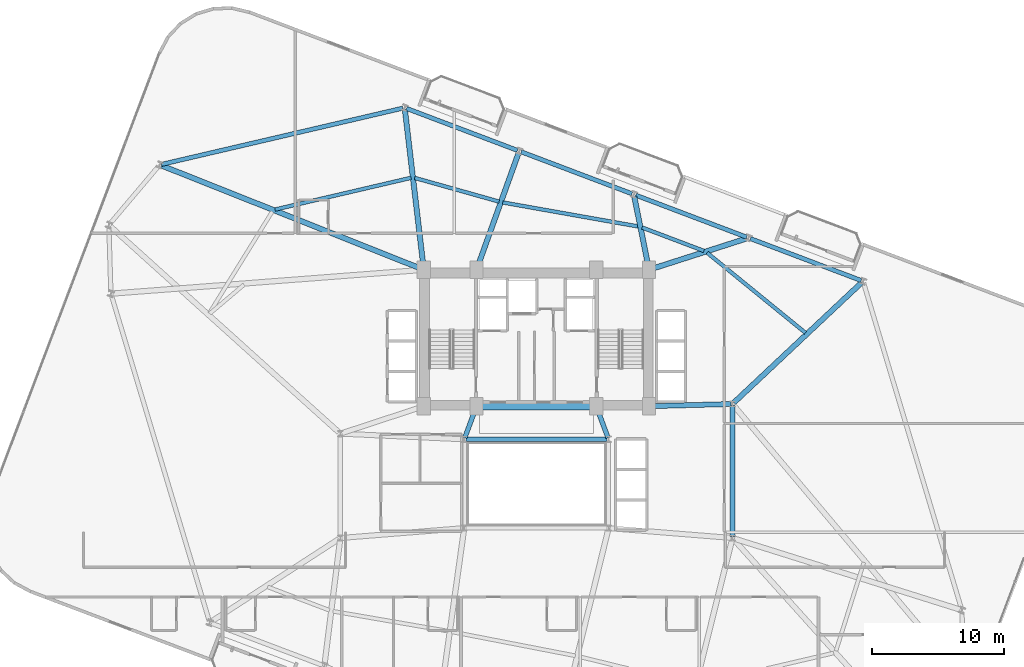
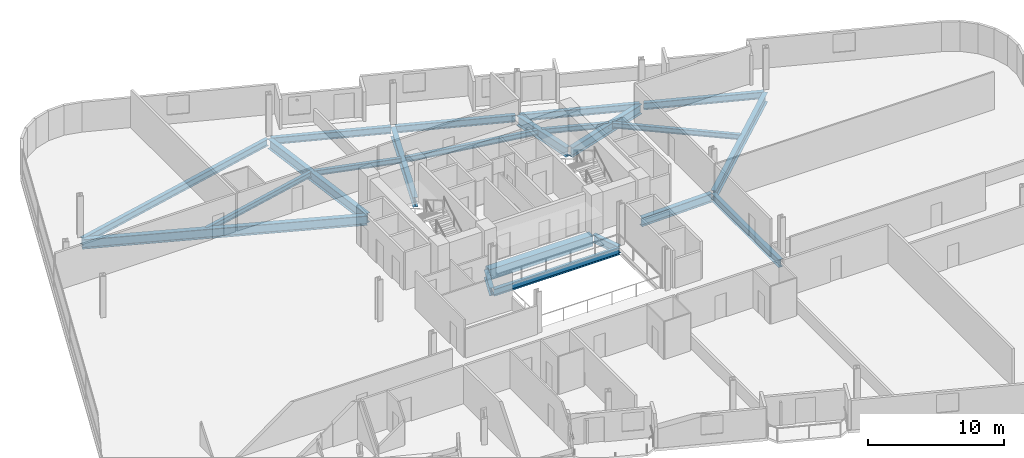
# One storey, part 9 of 25: 22 beams.
"""IFC4 building model written with IfcOpenShell, lengths in metres."""

import ifcopenshell
import ifcopenshell.guid

model = None  # the IFC model being written
_history = None  # IfcOwnerHistory: only IFC2X3 demands one
_inside = {}  # id of a spatial element -> (the spatial element, [elements in it])
_under = {}  # id of a project, library or spatial element -> (it, [spatial elements below it])
_declared = {}  # id of a project -> (the project, [libraries it declares])
_typed = {}  # id of a type object -> (the type object, [elements of that type])
_made_of = {}  # id of a material, layer set ... -> (it, [elements and type objects made of it])


def new_model(schema):
    """Start an empty IFC model of exactly this schema.

    Asked for "IFC4X3", IfcOpenShell would pick the latest addendum, in which some entities
    have other attributes; the version numbers below select the first issue.
    IFC2X3 requires an IfcOwnerHistory on every rooted entity: one is made here for all.
    """
    global model, _history
    if schema == "IFC4X3":
        model = ifcopenshell.file(schema_version=(4, 3, 0, 0))
    else:
        model = ifcopenshell.file(schema=schema)
    _inside.clear()
    _under.clear()
    _declared.clear()
    _typed.clear()
    _made_of.clear()
    _history = None
    if model.schema == "IFC2X3":
        org = make("IfcOrganization", Name="unknown")
        user = make(
            "IfcPersonAndOrganization",
            ThePerson=make("IfcPerson", FamilyName="unknown"),
            TheOrganization=org,
        )
        app = make(
            "IfcApplication",
            ApplicationDeveloper=org,
            Version="unknown",
            ApplicationFullName="unknown",
            ApplicationIdentifier="unknown",
        )
        _history = make(
            "IfcOwnerHistory",
            OwningUser=user,
            OwningApplication=app,
            ChangeAction="ADDED",
            CreationDate=0,
        )
    return model


def make(cls, **values):
    """One entity of the class cls with the attributes given. An attribute that is None is left unset."""
    return model.create_entity(
        cls, **{name: value for name, value in values.items() if value is not None}
    )


def rooted(cls, **values):
    """An entity with a GlobalId (a new one), such as an element, a storey or a relation."""
    return make(cls, GlobalId=ifcopenshell.guid.new(), OwnerHistory=_history, **values)


def si_unit(unit_type, name, prefix=None):
    """IfcSIUnit, for example si_unit("LENGTHUNIT", "METRE", prefix="MILLI")."""
    return make("IfcSIUnit", UnitType=unit_type, Prefix=prefix, Name=name)


def assignment(units):
    """IfcUnitAssignment: the units of a project."""
    return None if units is None else make("IfcUnitAssignment", Units=units)


def point(xyz):
    """IfcCartesianPoint."""
    return None if xyz is None else make("IfcCartesianPoint", Coordinates=xyz)


def direction(xyz):
    """IfcDirection."""
    return None if xyz is None else make("IfcDirection", DirectionRatios=xyz)


def frame(location, z_axis=None, x_axis=None):
    """IfcAxis2Placement3D, a coordinate frame: its origin and axes. An axis left out is left unset."""
    return make(
        "IfcAxis2Placement3D",
        Location=point(location),
        Axis=direction(z_axis),
        RefDirection=direction(x_axis),
    )


def frame_2d(location, x_axis=None):
    """IfcAxis2Placement2D, a coordinate frame in the plane: its origin and x axis."""
    return make(
        "IfcAxis2Placement2D", Location=point(location), RefDirection=direction(x_axis)
    )


def origin():
    """The frame at (0, 0, 0) with its axes left unset."""
    return frame((0.0, 0.0, 0.0))


def origin_2d():
    """The frame at (0, 0) in the plane with its x axis left unset."""
    return frame_2d((0.0, 0.0))


def place(relative_to, where):
    """IfcLocalPlacement: puts the frame where relative to a parent placement (None: the world)."""
    return make(
        "IfcLocalPlacement", PlacementRelTo=relative_to, RelativePlacement=where
    )


def context(
    kind, dimensions, precision=None, world=None, true_north=None, identifier=None
):
    """IfcGeometricRepresentationContext, for example the 3D "Model" context."""
    return make(
        "IfcGeometricRepresentationContext",
        ContextIdentifier=identifier,
        ContextType=kind,
        CoordinateSpaceDimension=dimensions,
        Precision=precision,
        WorldCoordinateSystem=world,
        TrueNorth=true_north,
    )


def subcontext(parent, identifier, kind, view, scale=None):
    """IfcGeometricRepresentationSubContext, for example "Body" below "Model"."""
    return make(
        "IfcGeometricRepresentationSubContext",
        ContextIdentifier=identifier,
        ContextType=kind,
        ParentContext=parent,
        TargetScale=scale,
        TargetView=view,
    )


def project(units=None, contexts=None):
    """IfcProject with its units and contexts."""
    return rooted(
        "IfcProject",
        Name="project",
        RepresentationContexts=contexts,
        UnitsInContext=assignment(units),
    )


def spatial(cls, under=None, at=None, **own):
    """A site, building, storey or space (cls), placed at a placement, below another one or the project."""
    s = rooted(cls, ObjectPlacement=at, **own)
    if under is not None:
        _under.setdefault(under.id(), (under, []))[1].append(s)
    return s


def profile(cls, at=None, kind="AREA", **sizes):
    """A parametric profile (cls). Its sizes go by their IFC names, for example OverallWidth=200.0."""
    return make(cls, ProfileType=kind, Position=at, **sizes)


def rectangle(**sizes):
    """IfcRectangleProfileDef."""
    return profile("IfcRectangleProfileDef", **sizes)


def i_section(**sizes):
    """IfcIShapeProfileDef."""
    return profile("IfcIShapeProfileDef", **sizes)


def extrude(swept, where, along, depth):
    """IfcExtrudedAreaSolid: the profile swept, set in the frame where, extruded along a direction by depth."""
    return make(
        "IfcExtrudedAreaSolid",
        SweptArea=swept,
        Position=where,
        ExtrudedDirection=direction(along),
        Depth=depth,
    )


def shape(context_of_items, identifier, shape_type, items):
    """IfcShapeRepresentation: the items that make up one representation, for example the "Body"."""
    return make(
        "IfcShapeRepresentation",
        ContextOfItems=context_of_items,
        RepresentationIdentifier=identifier,
        RepresentationType=shape_type,
        Items=items,
    )


def material(Name=None, Category=None):
    """IfcMaterial."""
    return make("IfcMaterial", Name=Name, Category=Category)


def material_profile(
    of_material, cross_section, Name=None, Category=None, Priority=None
):
    """IfcMaterialProfile: a cross section and its material."""
    return make(
        "IfcMaterialProfile",
        Name=Name,
        Material=of_material,
        Profile=cross_section,
        Priority=Priority,
        Category=Category,
    )


def profile_set(profiles, Name=None, composite=None):
    """IfcMaterialProfileSet."""
    return make(
        "IfcMaterialProfileSet",
        Name=Name,
        MaterialProfiles=profiles,
        CompositeProfile=composite,
    )


def made_of(thing, what):
    """Note that an element or type object is made of a material, layer set ...; save() writes the relation."""
    if what is not None:
        _made_of.setdefault(what.id(), (what, []))[1].append(thing)
    return thing


def type_object(cls, material=None, **own):
    """A type object (cls), such as IfcWallType, which elements share."""
    return made_of(rooted(cls, **own), material)


def element(
    cls,
    number,
    at=None,
    inside=None,
    cuts=None,
    type_object=None,
    material=None,
    context=None,
    identifier="Body",
    shape_type=None,
    held_by="IfcProductDefinitionShape",
    body=None,
    shapes=None,
    **own,
):
    """One element of the class cls, such as IfcWall. Its Tag is "e" and its number.

    at: its placement. inside: the storey or other place that contains it. cuts: it is an
    opening in that element (IfcRelVoidsElement). A single representation is given by context,
    identifier, shape_type and body (its items); several are given by shapes. held_by: the class
    of the entity that holds the representations. save() writes the other relations.
    """
    e = rooted(cls, Tag="e%d" % number, ObjectPlacement=at, **own)
    if body is not None:
        shapes = [shape(context, identifier, shape_type, body)]
    if shapes is not None:
        e.Representation = make(held_by, Representations=shapes)
    if inside is not None:
        _inside.setdefault(inside.id(), (inside, []))[1].append(e)
    if cuts is not None:
        rooted(
            "IfcRelVoidsElement", RelatingBuildingElement=cuts, RelatedOpeningElement=e
        )
    if type_object is not None:
        _typed.setdefault(type_object.id(), (type_object, []))[1].append(e)
    return made_of(e, material)


def aggregate(whole, parts):
    """IfcRelAggregates: a whole, such as a stair, and the parts it consists of."""
    return rooted("IfcRelAggregates", RelatingObject=whole, RelatedObjects=parts)


def save(model, path):
    """Write the relations noted so far, then the file.

    IfcRelAggregates (storeys below a building ...), IfcRelContainedInSpatialStructure (elements
    in a storey), IfcRelDefinesByType, IfcRelAssociatesMaterial and IfcRelDeclares: one each for
    every whole, place, type object, material and project.
    """
    for whole, parts in _under.values():
        aggregate(whole, parts)
    for where, things in _inside.values():
        rooted(
            "IfcRelContainedInSpatialStructure",
            RelatedElements=things,
            RelatingStructure=where,
        )
    for kind, things in _typed.values():
        rooted("IfcRelDefinesByType", RelatedObjects=things, RelatingType=kind)
    for what, things in _made_of.values():
        rooted("IfcRelAssociatesMaterial", RelatedObjects=things, RelatingMaterial=what)
    for by, libraries in _declared.values():
        rooted("IfcRelDeclares", RelatingContext=by, RelatedDefinitions=libraries)
    model.write(path)


model = new_model("IFC4")

# Units and contexts
model_context = context("Model", 3, precision=1e-05, world=origin(), true_north=direction((0.0, 1.0)))
body_context = subcontext(model_context, "Body", "Model", "MODEL_VIEW")
ifc_project = project(units=[si_unit("LENGTHUNIT", "METRE"), si_unit("AREAUNIT", "SQUARE_METRE"), si_unit("VOLUMEUNIT", "CUBIC_METRE"), si_unit("PLANEANGLEUNIT", "RADIAN"), si_unit("MASSUNIT", "GRAM", prefix="KILO")], contexts=[model_context])

# Site, building, storey
site_placement = place(None, origin())
site = spatial("IfcSite", under=ifc_project, at=site_placement, CompositionType="ELEMENT")
building_placement = place(site_placement, origin())
building = spatial("IfcBuilding", under=site, at=building_placement, Name="Varnelok Gate Tower", CompositionType="ELEMENT")
storey_placement = place(building_placement, frame((0.0, 0.0, 113.199951171875)))
storey = spatial("IfcBuildingStorey", under=building, at=storey_placement, Name="L28", CompositionType="ELEMENT", Elevation=113.199951171875)

# Beams
ifc_material_1 = material(Name="Structural Steel ASTM A992 Grade 50", Category="steel")
ifc_material_profile_1 = material_profile(ifc_material_1, i_section(OverallWidth=0.280029296875, OverallDepth=0.462890625, WebThickness=0.0107421875, FlangeThickness=0.017333984375, FilletRadius=0.014892578125, at=origin_2d()), Name="W18X76")
ifc_profile_set_1 = profile_set([ifc_material_profile_1], Name="Structural Steel ASTM A992 Grade 50")
beam_type_1 = type_object("IfcBeamType", Name="BM-JST-W18X76", PredefinedType="JOIST", material=ifc_profile_set_1)
beam_1_placement = place(storey_placement, frame((59.510986328125, 34.288818359375, -0.4814453125), z_axis=(-0.775355227045, 0.631525353327, 0.0), x_axis=(-0.631525353327, -0.775355227045, 0.0)))
element("IfcBeam", 1, at=beam_1_placement, inside=storey, type_object=beam_type_1, Name="L28 Sector Floor Joist 7", PredefinedType="JOIST", context=body_context, shape_type="SweptSolid", body=[
    extrude(i_section(OverallWidth=0.280029296875, OverallDepth=0.462890625, WebThickness=0.0107421875, FlangeThickness=0.017333984375, FilletRadius=0.014892578125, at=origin_2d()), origin(), (0.0, 0.0, 1.0), 9.573486328125),
])
beam_2_placement = place(storey_placement, frame((51.8486328125, 40.47265625, -0.4814453125), z_axis=(-0.935223246671, 0.354058581149, 0.0), x_axis=(-0.354058581149, -0.935223246671, 0.0)))
element("IfcBeam", 2, at=beam_2_placement, inside=storey, type_object=beam_type_1, Name="L28 Sector Floor Joist 8", PredefinedType="JOIST", context=body_context, shape_type="SweptSolid", body=[
    extrude(i_section(OverallWidth=0.280029296875, OverallDepth=0.462890625, WebThickness=0.0107421875, FlangeThickness=0.017333984375, FilletRadius=0.014892578125, at=origin_2d()), origin(), (0.0, 0.0, 1.0), 4.992431640625),
])
beam_3_placement = place(storey_placement, frame((46.910888671875, 42.314208984375, -0.4814453125), z_axis=(-0.984645891689, 0.174563650227, 0.0), x_axis=(-0.174563650227, -0.984645891689, 0.0)))
element("IfcBeam", 3, at=beam_3_placement, inside=storey, type_object=beam_type_1, Name="L28 Sector Floor Joist 9", PredefinedType="JOIST", context=body_context, shape_type="SweptSolid", body=[
    extrude(i_section(OverallWidth=0.280029296875, OverallDepth=0.462890625, WebThickness=0.0107421875, FlangeThickness=0.017333984375, FilletRadius=0.014892578125, at=origin_2d()), origin(), (0.0, 0.0, 1.0), 10.413818359375),
])
beam_4_placement = place(storey_placement, frame((36.384521484375, 44.194580078125, -0.4814453125), z_axis=(-0.962703489882, 0.270558663823, 0.0), x_axis=(-0.270558663823, -0.962703489882, 0.0)))
element("IfcBeam", 4, at=beam_4_placement, inside=storey, type_object=beam_type_1, Name="L28 Sector Floor Joist 10", PredefinedType="JOIST", context=body_context, shape_type="SweptSolid", body=[
    extrude(i_section(OverallWidth=0.280029296875, OverallDepth=0.462890625, WebThickness=0.0107421875, FlangeThickness=0.017333984375, FilletRadius=0.014892578125, at=origin_2d()), origin(), (0.0, 0.0, 1.0), 6.61962890625),
])
beam_5_placement = place(storey_placement, frame((29.740478515625, 45.99169921875, -0.4814453125), z_axis=(-0.973874675851, -0.227086141663, 0.0), x_axis=(0.227086141663, -0.973874675851, 0.0)))
element("IfcBeam", 5, at=beam_5_placement, inside=storey, type_object=beam_type_1, Name="L28 Sector Floor Joist 11", PredefinedType="JOIST", context=body_context, shape_type="SweptSolid", body=[
    extrude(i_section(OverallWidth=0.280029296875, OverallDepth=0.462890625, WebThickness=0.0107421875, FlangeThickness=0.017333984375, FilletRadius=0.014892578125, at=origin_2d()), origin(), (0.0, 0.0, 1.0), 10.54345703125),
])
ifc_material_2 = material(Name="Concrete C60/75", Category="concrete")
ifc_material_profile_2 = material_profile(ifc_material_2, rectangle(XDim=0.60009765625, YDim=0.949951171875, at=origin_2d()), Name="RC950X600")
ifc_profile_set_2 = profile_set([ifc_material_profile_2], Name="Concrete C60/75")
beam_type_2 = type_object("IfcBeamType", Name="BM-LNT-RC950", PredefinedType="LINTEL", material=ifc_profile_set_2)
beam_6_placement = place(storey_placement, frame((34.800048828125, 28.75, -0.724853515625), z_axis=(1.0, 0.0, 0.0), x_axis=(0.0, 1.0, 0.0)))
element("IfcBeam", 6, at=beam_6_placement, inside=storey, type_object=beam_type_2, Name="L28 Core-Atrium Spine Beam 7", PredefinedType="LINTEL", context=body_context, shape_type="SweptSolid", body=[
    extrude(rectangle(XDim=0.60009765625, YDim=0.949951171875, at=origin_2d()), origin(), (0.0, 0.0, 1.0), 8.800048828125),
])
ifc_material_profile_3 = material_profile(ifc_material_1, i_section(OverallWidth=0.35498046875, OverallDepth=0.696044921875, WebThickness=0.015380859375, FlangeThickness=0.02490234375, FilletRadius=0.02001953125, at=origin_2d()), Name="W27X146")
ifc_profile_set_3 = profile_set([ifc_material_profile_3], Name="Structural Steel ASTM A992 Grade 50")
beam_type_3 = type_object("IfcBeamType", Name="BM-PRI-W27X146", PredefinedType="BEAM", material=ifc_profile_set_3)
for number, where, z_axis, x_axis, name in (
    (7, (33.791748046875, 26.362548828125, -0.597900390625), (0.348719329408, 0.937227202602, 0.0), (-0.937227202602, 0.348719329408, 0.0), "L28 Core-Atrium Spine Beam 12"),
    (8, (44.608154296875, 26.362548828125, -0.597900390625), (-0.348719329408, 0.937227202602, 0.0), (-0.937227202602, -0.348719329408, 0.0), "L28 Core-Atrium Spine Beam 13"),
):
    element("IfcBeam", number, at=place(storey_placement, frame(where, z_axis=z_axis, x_axis=x_axis)), inside=storey, type_object=beam_type_3, Name=name, PredefinedType="BEAM", context=body_context, shape_type="SweptSolid", body=[
        extrude(i_section(OverallWidth=0.35498046875, OverallDepth=0.696044921875, WebThickness=0.015380859375, FlangeThickness=0.02490234375, FilletRadius=0.02001953125, at=origin_2d()), origin(), (0.0, 0.0, 1.0), 2.42724609375),
    ])
beam_7_placement = place(storey_placement, frame((54.0, 18.919921875, -0.597900390625), z_axis=(0.0, 1.0, 0.0), x_axis=(-1.0, 0.0, 0.0)))
element("IfcBeam", 9, at=beam_7_placement, inside=storey, type_object=beam_type_3, Name="L28 Core-Atrium Spine Beam 20", PredefinedType="BEAM", context=body_context, shape_type="SweptSolid", body=[
    extrude(i_section(OverallWidth=0.35498046875, OverallDepth=0.696044921875, WebThickness=0.015380859375, FlangeThickness=0.02490234375, FilletRadius=0.02001953125, at=origin_2d()), origin(), (0.0, 0.0, 1.0), 9.880126953125),
])
ifc_material_profile_4 = material_profile(ifc_material_1, i_section(OverallWidth=0.381103515625, OverallDepth=0.77294921875, WebThickness=0.0166015625, FlangeThickness=0.027099609375, FilletRadius=0.02197265625, at=origin_2d()), Name="W30X173")
ifc_profile_set_4 = profile_set([ifc_material_profile_4], Name="Structural Steel ASTM A992 Grade 50")
beam_type_4 = type_object("IfcBeamType", Name="BM-PRI-W30X173", PredefinedType="BEAM", material=ifc_profile_set_4)
beam_8_placement = place(storey_placement, frame((47.820068359375, 28.753173828125, -0.636474609375), z_axis=(0.999635880609, 0.026983443053, 0.0), x_axis=(-0.026983443053, 0.999635880609, 0.0)))
element("IfcBeam", 10, at=beam_8_placement, inside=storey, type_object=beam_type_4, Name="L28 Core-Atrium Spine Beam 19", PredefinedType="BEAM", context=body_context, shape_type="SweptSolid", body=[
    extrude(i_section(OverallWidth=0.381103515625, OverallDepth=0.77294921875, WebThickness=0.0166015625, FlangeThickness=0.027099609375, FilletRadius=0.02197265625, at=origin_2d()), origin(), (0.0, 0.0, 1.0), 6.06201171875),
])
ifc_material_profile_5 = material_profile(ifc_material_1, i_section(OverallWidth=0.39892578125, OverallDepth=0.85498046875, WebThickness=0.018310546875, FlangeThickness=0.029296875, FilletRadius=0.02392578125, at=origin_2d()), Name="W33X201")
ifc_profile_set_5 = profile_set([ifc_material_profile_5], Name="Structural Steel ASTM A992 Grade 50")
beam_type_5 = type_object("IfcBeamType", Name="BM-PRI-W33X201", PredefinedType="BEAM", material=ifc_profile_set_5)
beam_9_placement = place(storey_placement, frame((54.109375, 29.022705078125, -0.677490234375), z_axis=(0.728763782129, 0.684765178624, 0.0), x_axis=(-0.684765178624, 0.728763782129, 0.0)))
element("IfcBeam", 11, at=beam_9_placement, inside=storey, type_object=beam_type_5, Name="L28 Radial Floor Girder 9", PredefinedType="BEAM", context=body_context, shape_type="SweptSolid", body=[
    extrude(i_section(OverallWidth=0.39892578125, OverallDepth=0.85498046875, WebThickness=0.018310546875, FlangeThickness=0.029296875, FilletRadius=0.02392578125, at=origin_2d()), origin(), (0.0, 0.0, 1.0), 13.228515625),
])
beam_10_placement = place(storey_placement, frame((47.8427734375, 39.095703125, -0.677490234375), z_axis=(0.952189173648, 0.305509046656, 0.0), x_axis=(-0.305509046656, 0.952189173648, 0.0)))
element("IfcBeam", 12, at=beam_10_placement, inside=storey, type_object=beam_type_5, Name="L28 Radial Floor Girder 10", PredefinedType="BEAM", context=body_context, shape_type="SweptSolid", body=[
    extrude(i_section(OverallWidth=0.39892578125, OverallDepth=0.85498046875, WebThickness=0.018310546875, FlangeThickness=0.029296875, FilletRadius=0.02392578125, at=origin_2d()), origin(), (0.0, 0.0, 1.0), 7.585205078125),
])
beam_11_placement = place(storey_placement, frame((47.67041015625, 39.197021484375, -0.677490234375), z_axis=(-0.19708105208, 0.980387198463, 0.0), x_axis=(-0.980387198463, -0.19708105208, 0.0)))
element("IfcBeam", 13, at=beam_11_placement, inside=storey, type_object=beam_type_5, Name="L28 Radial Floor Girder 11", PredefinedType="BEAM", context=body_context, shape_type="SweptSolid", body=[
    extrude(i_section(OverallWidth=0.39892578125, OverallDepth=0.85498046875, WebThickness=0.018310546875, FlangeThickness=0.029296875, FilletRadius=0.02392578125, at=origin_2d()), origin(), (0.0, 0.0, 1.0), 5.497802734375),
])
beam_12_placement = place(storey_placement, frame((34.730712890625, 39.191162109375, -0.677490234375), z_axis=(0.338850703631, 0.940840156801, 0.0), x_axis=(-0.940840156801, 0.338850703631, 0.0)))
element("IfcBeam", 14, at=beam_12_placement, inside=storey, type_object=beam_type_5, Name="L28 Radial Floor Girder 12", PredefinedType="BEAM", context=body_context, shape_type="SweptSolid", body=[
    extrude(i_section(OverallWidth=0.39892578125, OverallDepth=0.85498046875, WebThickness=0.018310546875, FlangeThickness=0.029296875, FilletRadius=0.02392578125, at=origin_2d()), origin(), (0.0, 0.0, 1.0), 9.222412109375),
])
beam_13_placement = place(storey_placement, frame((30.682373046875, 39.198974609375, -0.677490234375), z_axis=(-0.117226632165, 0.993105189147, 0.0), x_axis=(-0.993105189147, -0.117226632165, 0.0)))
element("IfcBeam", 15, at=beam_13_placement, inside=storey, type_object=beam_type_5, Name="L28 Radial Floor Girder 13", PredefinedType="BEAM", context=body_context, shape_type="SweptSolid", body=[
    extrude(i_section(OverallWidth=0.39892578125, OverallDepth=0.85498046875, WebThickness=0.018310546875, FlangeThickness=0.029296875, FilletRadius=0.02392578125, at=origin_2d()), origin(), (0.0, 0.0, 1.0), 12.018798828125),
])
beam_14_placement = place(storey_placement, frame((30.560546875, 39.10546875, -0.677490234375), z_axis=(-0.929316441243, 0.369284378271, 0.0), x_axis=(-0.369284378271, -0.929316441243, 0.0)))
element("IfcBeam", 16, at=beam_14_placement, inside=storey, type_object=beam_type_5, Name="L28 Radial Floor Girder 14", PredefinedType="BEAM", context=body_context, shape_type="SweptSolid", body=[
    extrude(i_section(OverallWidth=0.39892578125, OverallDepth=0.85498046875, WebThickness=0.018310546875, FlangeThickness=0.029296875, FilletRadius=0.02392578125, at=origin_2d()), origin(), (0.0, 0.0, 1.0), 21.153076171875),
])
ifc_material_profile_6 = material_profile(ifc_material_1, i_section(OverallWidth=0.323974609375, OverallDepth=0.611083984375, WebThickness=0.0126953125, FlangeThickness=0.01904296875, FilletRadius=0.01806640625, at=origin_2d()), Name="W24X104")
ifc_profile_set_6 = profile_set([ifc_material_profile_6], Name="Structural Steel ASTM A992 Grade 50")
beam_type_6 = type_object("IfcBeamType", Name="BM-SPN-W24X104", PredefinedType="SPANDREL", material=ifc_profile_set_6)
beam_15_placement = place(storey_placement, frame((33.8701171875, 26.25, -0.555419921875), z_axis=(1.0, 0.0, 0.0), x_axis=(0.0, 1.0, 0.0)))
element("IfcBeam", 17, at=beam_15_placement, inside=storey, type_object=beam_type_6, Name="L28 Core-Atrium Spine Beam 9", PredefinedType="SPANDREL", context=body_context, shape_type="SweptSolid", body=[
    extrude(i_section(OverallWidth=0.323974609375, OverallDepth=0.611083984375, WebThickness=0.0126953125, FlangeThickness=0.01904296875, FilletRadius=0.01806640625, at=origin_2d()), origin(), (0.0, 0.0, 1.0), 10.659912109375),
])
beam_16_placement = place(storey_placement, frame((63.71875, 38.23681640625, -0.555419921875), z_axis=(-0.935220356141, 0.354066216208, 0.0), x_axis=(-0.354066216208, -0.935220356141, 0.0)))
element("IfcBeam", 18, at=beam_16_placement, inside=storey, type_object=beam_type_6, Name="L28 Perimeter Spandrel Beam 9", PredefinedType="SPANDREL", context=body_context, shape_type="SweptSolid", body=[
    extrude(i_section(OverallWidth=0.323974609375, OverallDepth=0.611083984375, WebThickness=0.0126953125, FlangeThickness=0.01904296875, FilletRadius=0.01806640625, at=origin_2d()), origin(), (0.0, 0.0, 1.0), 8.9501953125),
])
for number, where, z_axis, x_axis, name in (
    (19, (55.06787109375, 41.511962890625, -0.555419921875), (-0.935216936382, 0.354075248928, 0.0), (-0.354075248928, -0.935216936382, 0.0), "L28 Perimeter Spandrel Beam 10"),
    (20, (46.4169921875, 44.787109375, -0.555419921875), (-0.935225969099, 0.354051389947, 0.0), (-0.354051389947, -0.935225969099, 0.0), "L28 Perimeter Spandrel Beam 11"),
):
    element("IfcBeam", number, at=place(storey_placement, frame(where, z_axis=z_axis, x_axis=x_axis)), inside=storey, type_object=beam_type_6, Name=name, PredefinedType="SPANDREL", context=body_context, shape_type="SweptSolid", body=[
        extrude(i_section(OverallWidth=0.323974609375, OverallDepth=0.611083984375, WebThickness=0.0126953125, FlangeThickness=0.01904296875, FilletRadius=0.01806640625, at=origin_2d()), origin(), (0.0, 0.0, 1.0), 8.949951171875),
    ])
beam_17_placement = place(storey_placement, frame((37.766357421875, 48.06201171875, -0.555419921875), z_axis=(-0.935220356141, 0.354066216208, 0.0), x_axis=(-0.354066216208, -0.935220356141, 0.0)))
element("IfcBeam", 21, at=beam_17_placement, inside=storey, type_object=beam_type_6, Name="L28 Perimeter Spandrel Beam 12", PredefinedType="SPANDREL", context=body_context, shape_type="SweptSolid", body=[
    extrude(i_section(OverallWidth=0.323974609375, OverallDepth=0.611083984375, WebThickness=0.0126953125, FlangeThickness=0.01904296875, FilletRadius=0.01806640625, at=origin_2d()), origin(), (0.0, 0.0, 1.0), 8.9501953125),
])
beam_18_placement = place(storey_placement, frame((29.109619140625, 51.25, -0.555419921875), z_axis=(-0.973877429001, -0.227074334266, 0.0), x_axis=(0.227074334266, -0.973877429001, 0.0)))
element("IfcBeam", 22, at=beam_18_placement, inside=storey, type_object=beam_type_6, Name="L28 Perimeter Spandrel Beam 13", PredefinedType="SPANDREL", context=body_context, shape_type="SweptSolid", body=[
    extrude(i_section(OverallWidth=0.323974609375, OverallDepth=0.611083984375, WebThickness=0.0126953125, FlangeThickness=0.01904296875, FilletRadius=0.01806640625, at=origin_2d()), origin(), (0.0, 0.0, 1.0), 18.6884765625),
])

save(model, "model.ifc")
